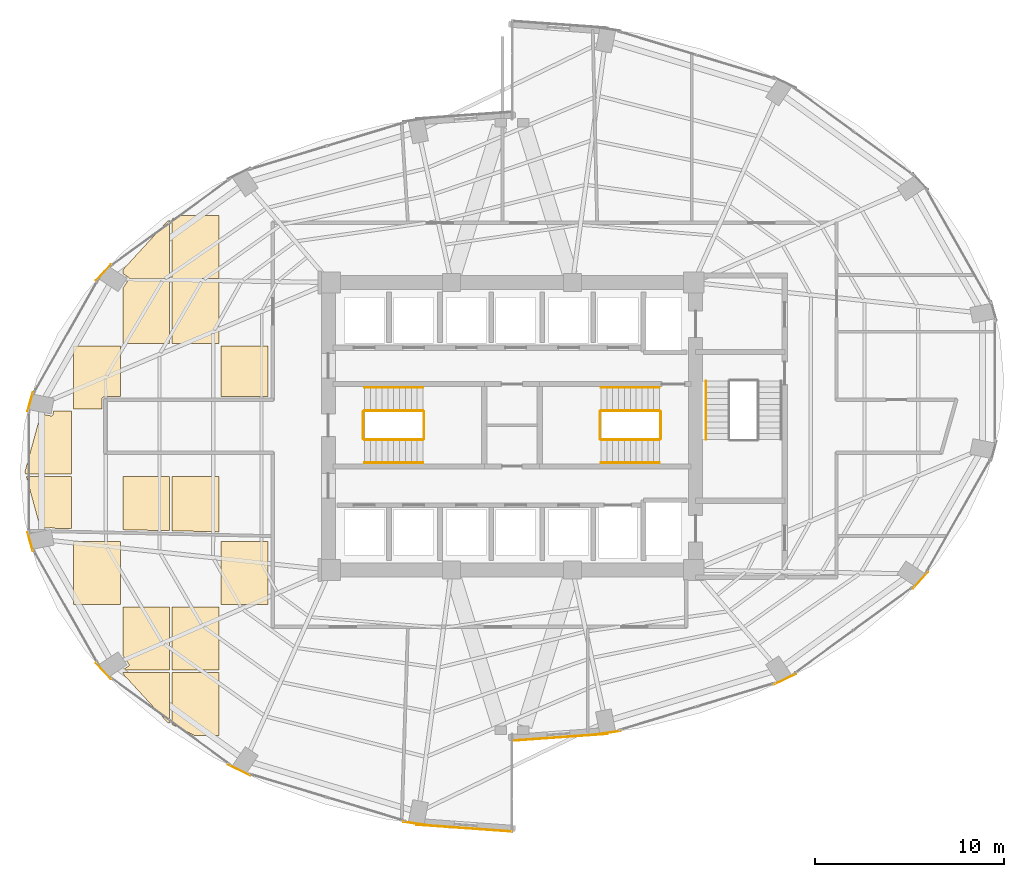
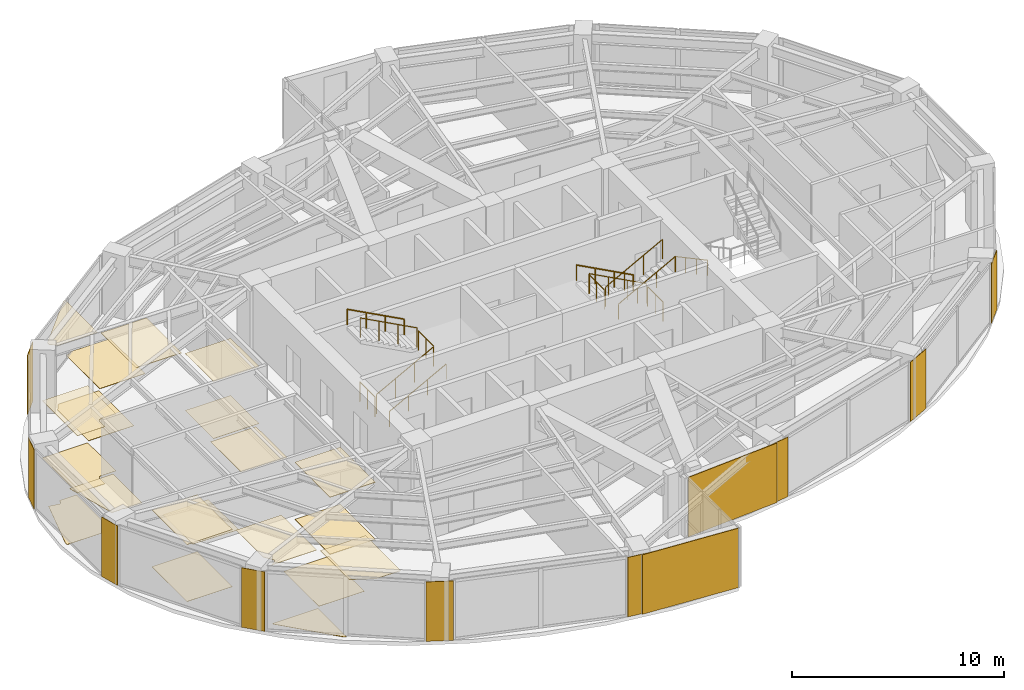
# One storey, part 23 of 24: 31 coverings, 13 railings.
"""IFC4 building model written with IfcOpenShell, lengths in metres."""

from ifc_helpers import new_model, si_unit, direction, frame, origin, origin_2d, place, context, subcontext, project, spatial, polyline, rectangle, circle, outline, extrude, material, layer, layer_set, type_object, element, save


model = new_model("IFC4")

# Units and contexts
model_context = context("Model", 3, precision=1e-05, world=origin(), true_north=direction((0.0, 1.0)))
body_context = subcontext(model_context, "Body", "Model", "MODEL_VIEW")
ifc_project = project(units=[si_unit("LENGTHUNIT", "METRE"), si_unit("AREAUNIT", "SQUARE_METRE"), si_unit("VOLUMEUNIT", "CUBIC_METRE"), si_unit("PLANEANGLEUNIT", "RADIAN"), si_unit("MASSUNIT", "GRAM", prefix="KILO")], contexts=[model_context])

# Site, building, storey
site_placement = place(None, origin())
site = spatial("IfcSite", under=ifc_project, at=site_placement, CompositionType="ELEMENT")
building_placement = place(site_placement, origin())
building = spatial("IfcBuilding", under=site, at=building_placement, Name="Lazwardi Medical Tower", CompositionType="ELEMENT")
storey_placement = place(building_placement, frame((0.0, 0.0, 103.632080078125)))
storey = spatial("IfcBuildingStorey", under=building, at=storey_placement, Name="L26", CompositionType="ELEMENT", Elevation=103.632080078125)

# Coverings
ifc_material_1 = material(Name="Anodised bronze aluminium cassette cladding", Category="aluminium")
ifc_layer_1 = layer(ifc_material_1, 0.030029296875)
ifc_layer_set_1 = layer_set([ifc_layer_1], Name="Anodised bronze aluminium cassette cladding")
covering_type_1 = type_object("IfcCoveringType", Name="COV-CLD-BRZ", PredefinedType="CLADDING", material=ifc_layer_set_1)
covering_1_placement = place(storey_placement, frame((41.064208984375, 11.80322265625, 0.0), z_axis=(0.0, 0.0, 1.0), x_axis=(0.989609019093, 0.143784523955, 0.0)))
element("IfcCovering", 1, at=covering_1_placement, inside=storey, type_object=covering_type_1, Name="L26 Mega-column bronze cassette cover M01", PredefinedType="CLADDING", context=body_context, shape_type="SweptSolid", body=[
    extrude(rectangle(XDim=1.392333984375, YDim=0.030029296875, at=origin_2d()), origin(), (0.0, 0.0, 1.0), 3.427978515625),
])
covering_2_placement = place(storey_placement, frame((50.421875, 14.634521484375, 0.0), z_axis=(0.0, 0.0, 1.0), x_axis=(0.898679250201, 0.438606435495, 0.0)))
element("IfcCovering", 2, at=covering_2_placement, inside=storey, type_object=covering_type_1, Name="L26 Mega-column bronze cassette cover M02", PredefinedType="CLADDING", context=body_context, shape_type="SweptSolid", body=[
    extrude(rectangle(XDim=1.2998046875, YDim=0.030029296875, at=origin_2d()), origin(), (0.0, 0.0, 1.0), 3.427978515625),
])
for number, where, z_axis, x_axis, name in (
    (3, (57.583740234375, 19.86572265625, 0.0), (0.0, 0.0, 1.0), (0.674925949214, 0.737885467453, 0.0), "L26 Mega-column bronze cassette cover M03"),
    (4, (14.416259765625, 36.13427734375, 0.0), (0.0, 0.0, 1.0), (-0.674925949214, -0.737885467453, 0.0), "L26 Mega-column bronze cassette cover M11"),
):
    element("IfcCovering", number, at=place(storey_placement, frame(where, z_axis=z_axis, x_axis=x_axis)), inside=storey, type_object=covering_type_1, Name=name, PredefinedType="CLADDING", context=body_context, shape_type="SweptSolid", body=[
        extrude(rectangle(XDim=1.15625, YDim=0.030029296875, at=origin_2d()), origin(), (0.0, 0.0, 1.0), 3.427978515625),
    ])
for number, where, z_axis, x_axis, name in (
    (5, (10.540283203125, 29.299072265625, 0.0), (0.0, 0.0, 1.0), (-0.262696108164, -0.964878621774, 0.0), "L26 Mega-column bronze cassette cover M12"),
    (6, (10.540283203125, 21.90087890625, 0.0), (0.0, 0.0, 1.0), (0.262696108164, -0.964878621774, 0.0), "L26 Mega-column bronze cassette cover M13"),
):
    element("IfcCovering", number, at=place(storey_placement, frame(where, z_axis=z_axis, x_axis=x_axis)), inside=storey, type_object=covering_type_1, Name=name, PredefinedType="CLADDING", context=body_context, shape_type="SweptSolid", body=[
        extrude(rectangle(XDim=1.04296875, YDim=0.030029296875, at=origin_2d()), origin(), (0.0, 0.0, 1.0), 3.427978515625),
    ])
covering_3_placement = place(storey_placement, frame((14.416259765625, 15.06591796875, 0.0), z_axis=(0.0, 0.0, 1.0), x_axis=(0.674925949214, -0.737885467453, 0.0)))
element("IfcCovering", 7, at=covering_3_placement, inside=storey, type_object=covering_type_1, Name="L26 Mega-column bronze cassette cover M14", PredefinedType="CLADDING", context=body_context, shape_type="SweptSolid", body=[
    extrude(rectangle(XDim=1.15625, YDim=0.030029296875, at=origin_2d()), origin(), (0.0, 0.0, 1.0), 3.427978515625),
])
covering_4_placement = place(storey_placement, frame((21.578125, 9.83447265625, 0.0), z_axis=(0.0, 0.0, 1.0), x_axis=(0.898679250201, -0.438606435495, 0.0)))
element("IfcCovering", 8, at=covering_4_placement, inside=storey, type_object=covering_type_1, Name="L26 Mega-column bronze cassette cover M15", PredefinedType="CLADDING", context=body_context, shape_type="SweptSolid", body=[
    extrude(rectangle(XDim=1.2998046875, YDim=0.030029296875, at=origin_2d()), origin(), (0.0, 0.0, 1.0), 3.427978515625),
])
covering_5_placement = place(storey_placement, frame((30.935791015625, 7.00341796875, 0.0), z_axis=(0.0, 0.0, 1.0), x_axis=(0.989609019093, -0.143784523955, 0.0)))
element("IfcCovering", 9, at=covering_5_placement, inside=storey, type_object=covering_type_1, Name="L26 Mega-column bronze cassette cover M16", PredefinedType="CLADDING", context=body_context, shape_type="SweptSolid", body=[
    extrude(rectangle(XDim=1.392333984375, YDim=0.030029296875, at=origin_2d()), origin(), (0.0, 0.0, 1.0), 3.427978515625),
])
ifc_material_2 = material(Name="Turquoise glazed ceramic tilework cladding", Category="masonry")
ifc_layer_2 = layer(ifc_material_2, 0.034912109375)
ifc_layer_set_2 = layer_set([ifc_layer_2], Name="Turquoise glazed ceramic tilework cladding")
covering_type_2 = type_object("IfcCoveringType", Name="COV-CLD-TRQ", PredefinedType="CLADDING", material=ifc_layer_set_2)
covering_6_placement = place(storey_placement, frame((38.533203125, 11.56591796875, 0.0), z_axis=(0.0, 0.0, 1.0), x_axis=(0.997431665415, 0.07162452672, 0.0)))
element("IfcCovering", 10, at=covering_6_placement, inside=storey, type_object=covering_type_2, Name="L26 Turquoise glazed ceramic tilework cladding", PredefinedType="CLADDING", context=body_context, shape_type="SweptSolid", body=[
    extrude(rectangle(XDim=5.05419921875, YDim=0.034912109375, at=origin_2d()), origin(), (0.0, 0.0, 1.0), 3.427978515625),
])
covering_7_placement = place(storey_placement, frame((33.466552734375, 6.76611328125, 0.0), z_axis=(0.0, 0.0, 1.0), x_axis=(0.997431165357, -0.071631490105, 0.0)))
element("IfcCovering", 11, at=covering_7_placement, inside=storey, type_object=covering_type_2, Name="L26 Turquoise glazed ceramic tilework cladding", PredefinedType="CLADDING", context=body_context, shape_type="SweptSolid", body=[
    extrude(rectangle(XDim=5.0537109375, YDim=0.034912109375, at=origin_2d()), origin(), (0.0, 0.0, 1.0), 3.427978515625),
])
ifc_material_3 = material(Name="Acoustic mineral fibre tile")
ifc_layer_3 = layer(ifc_material_3, 0.02490234375)
ifc_layer_set_3 = layer_set([ifc_layer_3], Name="Acoustic mineral fibre tile")
covering_type_3 = type_object("IfcCoveringType", Name="COV-CLG-01", PredefinedType="CEILING", material=ifc_layer_set_3)
covering_8_placement = place(storey_placement, frame((0.0, 0.0, 3.282958984375)))
element("IfcCovering", 12, at=covering_8_placement, inside=storey, type_object=covering_type_3, Name="L26 Clinical Acoustic Ceiling 1", PredefinedType="CEILING", context=body_context, shape_type="SweptSolid", body=[
    extrude(outline(polyline([(10.33056640625, 25.352294921875), (11.0732421875, 22.630859375), (11.49560546875, 22.62158203125), (11.643798828125, 22.651123046875), (11.6513671875, 22.652099609375), (11.6591796875, 22.652587890625), (11.6669921875, 22.652099609375), (11.6748046875, 22.651123046875), (11.682373046875, 22.649169921875), (11.689697265625, 22.646484375), (11.697021484375, 22.643310546875), (11.70361328125, 22.63916015625), (11.7099609375, 22.634521484375), (11.7158203125, 22.62939453125), (11.720947265625, 22.62353515625), (11.7255859375, 22.6171875), (11.72607421875, 22.61669921875), (12.712890625, 22.59521484375), (12.712890625, 25.352294921875), (10.33056640625, 25.352294921875)])), origin(), (0.0, 0.0, 1.0), 0.02490234375),
])
covering_9_placement = place(storey_placement, frame((0.0, 0.0, 3.282958984375)))
element("IfcCovering", 13, at=covering_9_placement, inside=storey, type_object=covering_type_3, Name="L26 Clinical Acoustic Ceiling 2", PredefinedType="CEILING", context=body_context, shape_type="SweptSolid", body=[
    extrude(outline(polyline([(15.31298828125, 18.572509765625), (15.31298828125, 21.90234375), (12.8330078125, 21.90234375), (12.8330078125, 18.572509765625), (15.31298828125, 18.572509765625)])), origin(), (0.0, 0.0, 1.0), 0.02490234375),
])
covering_10_placement = place(storey_placement, frame((0.0, 0.0, 3.282958984375)))
element("IfcCovering", 14, at=covering_10_placement, inside=storey, type_object=covering_type_3, Name="L26 Clinical Acoustic Ceiling 3", PredefinedType="CEILING", context=body_context, shape_type="SweptSolid", body=[
    extrude(outline(polyline([(14.324951171875, 28.92236328125), (14.324951171875, 29.39990234375), (14.3251953125, 29.404296875), (14.32568359375, 29.41357421875), (14.326416015625, 29.42041015625), (14.32763671875, 29.4296875), (14.3291015625, 29.43798828125), (14.33154296875, 29.447265625), (14.33349609375, 29.4541015625), (14.336669921875, 29.462890625), (14.340087890625, 29.470703125), (14.343994140625, 29.479248046875), (14.34765625, 29.486083984375), (14.352294921875, 29.493896484375), (14.35693359375, 29.500732421875), (14.362548828125, 29.50830078125), (14.3671875, 29.513916015625), (14.373291015625, 29.520751953125), (14.37939453125, 29.526611328125), (14.38623046875, 29.532958984375), (14.391845703125, 29.53759765625), (14.3994140625, 29.543212890625), (14.406005859375, 29.547607421875), (14.4140625, 29.552490234375), (14.4208984375, 29.555908203125), (14.42919921875, 29.56005859375), (14.43701171875, 29.563232421875), (14.44580078125, 29.56640625), (14.452880859375, 29.568603515625), (14.4619140625, 29.57080078125), (14.47021484375, 29.572509765625), (14.4794921875, 29.57373046875), (14.486328125, 29.574462890625), (14.49560546875, 29.574951171875), (14.5, 29.574951171875), (15.31298828125, 29.574951171875), (15.31298828125, 32.25244140625), (12.8330078125, 32.25244140625), (12.8330078125, 28.92236328125), (14.324951171875, 28.92236328125)])), origin(), (0.0, 0.0, 1.0), 0.02490234375),
])
covering_11_placement = place(storey_placement, frame((0.0, 0.0, 3.282958984375)))
element("IfcCovering", 15, at=covering_11_placement, inside=storey, type_object=covering_type_3, Name="L26 Clinical Acoustic Ceiling 4", PredefinedType="CEILING", context=body_context, shape_type="SweptSolid", body=[
    extrude(outline(polyline([(15.432861328125, 15.90087890625), (15.748779296875, 15.42822265625), (15.752685546875, 15.421630859375), (15.756103515625, 15.41455078125), (15.7587890625, 15.406982421875), (15.7607421875, 15.3994140625), (15.76171875, 15.3916015625), (15.76220703125, 15.3837890625), (15.76171875, 15.376220703125), (15.7607421875, 15.368408203125), (15.7587890625, 15.360595703125), (15.756103515625, 15.353271484375), (15.752685546875, 15.34619140625), (15.748779296875, 15.339599609375), (15.743896484375, 15.3330078125), (15.73876953125, 15.327392578125), (15.73291015625, 15.322021484375), (15.7265625, 15.3173828125), (15.434814453125, 15.122314453125), (17.912841796875, 15.122314453125), (17.912841796875, 18.452392578125), (15.432861328125, 18.452392578125), (15.432861328125, 15.90087890625)])), origin(), (0.0, 0.0, 1.0), 0.02490234375),
])
covering_12_placement = place(storey_placement, frame((0.0, 0.0, 3.282958984375)))
element("IfcCovering", 16, at=covering_12_placement, inside=storey, type_object=covering_type_3, Name="L26 Clinical Acoustic Ceiling 5", PredefinedType="CEILING", context=body_context, shape_type="SweptSolid", body=[
    extrude(outline(polyline([(17.912841796875, 38.901611328125), (17.791259765625, 38.84228515625), (15.432861328125, 36.27001953125), (15.432861328125, 36.078857421875), (15.7265625, 35.882568359375), (15.73291015625, 35.8779296875), (15.73876953125, 35.872802734375), (15.743896484375, 35.866943359375), (15.748779296875, 35.860595703125), (15.752685546875, 35.853759765625), (15.756103515625, 35.8466796875), (15.7587890625, 35.83935546875), (15.7607421875, 35.831787109375), (15.76171875, 35.823974609375), (15.761962890625, 35.822509765625), (17.912841796875, 35.822509765625), (17.912841796875, 38.901611328125)])), origin(), (0.0, 0.0, 1.0), 0.02490234375),
])
covering_13_placement = place(storey_placement, frame((0.0, 0.0, 3.282958984375)))
element("IfcCovering", 17, at=covering_13_placement, inside=storey, type_object=covering_type_3, Name="L26 Clinical Acoustic Ceiling 6", PredefinedType="CEILING", context=body_context, shape_type="SweptSolid", body=[
    extrude(outline(polyline([(18.032958984375, 12.23974609375), (19.197998046875, 11.67236328125), (20.512939453125, 11.67236328125), (20.512939453125, 15.00244140625), (18.032958984375, 15.00244140625), (18.032958984375, 12.23974609375)])), origin(), (0.0, 0.0, 1.0), 0.02490234375),
])
covering_14_placement = place(storey_placement, frame((0.0, 0.0, 3.282958984375)))
element("IfcCovering", 18, at=covering_14_placement, inside=storey, type_object=covering_type_3, Name="L26 Clinical Acoustic Ceiling 7", PredefinedType="CEILING", context=body_context, shape_type="SweptSolid", body=[
    extrude(outline(polyline([(18.032958984375, 22.47998046875), (20.512939453125, 22.42626953125), (20.512939453125, 25.352294921875), (18.032958984375, 25.352294921875), (18.032958984375, 22.47998046875)])), origin(), (0.0, 0.0, 1.0), 0.02490234375),
])
covering_15_placement = place(storey_placement, frame((0.0, 0.0, 3.282958984375)))
element("IfcCovering", 19, at=covering_15_placement, inside=storey, type_object=covering_type_3, Name="L26 Clinical Acoustic Ceiling 8", PredefinedType="CEILING", context=body_context, shape_type="SweptSolid", body=[
    extrude(outline(polyline([(20.512939453125, 32.372314453125), (20.512939453125, 35.702392578125), (18.032958984375, 35.702392578125), (18.032958984375, 32.372314453125), (20.512939453125, 32.372314453125)])), origin(), (0.0, 0.0, 1.0), 0.02490234375),
])
covering_16_placement = place(storey_placement, frame((0.0, 0.0, 3.282958984375)))
element("IfcCovering", 20, at=covering_16_placement, inside=storey, type_object=covering_type_3, Name="L26 Clinical Acoustic Ceiling 9", PredefinedType="CEILING", context=body_context, shape_type="SweptSolid", body=[
    extrude(outline(polyline([(23.11279296875, 18.572509765625), (23.11279296875, 21.90234375), (20.6328125, 21.90234375), (20.6328125, 18.572509765625), (23.11279296875, 18.572509765625)])), origin(), (0.0, 0.0, 1.0), 0.02490234375),
])
covering_17_placement = place(storey_placement, frame((0.0, 0.0, 3.282958984375)))
element("IfcCovering", 21, at=covering_17_placement, inside=storey, type_object=covering_type_3, Name="L26 Clinical Acoustic Ceiling 10", PredefinedType="CEILING", context=body_context, shape_type="SweptSolid", body=[
    extrude(outline(polyline([(20.6328125, 29.574951171875), (23.11279296875, 29.574951171875), (23.11279296875, 32.25244140625), (20.6328125, 32.25244140625), (20.6328125, 29.574951171875)])), origin(), (0.0, 0.0, 1.0), 0.02490234375),
])
ifc_material_4 = material(Name="Anti-static hospital vinyl sheet flooring")
ifc_layer_4 = layer(ifc_material_4, 0.014892578125)
ifc_layer_set_4 = layer_set([ifc_layer_4], Name="Anti-static hospital vinyl sheet flooring")
covering_type_4 = type_object("IfcCoveringType", Name="COV-FLR-01", PredefinedType="FLOORING", material=ifc_layer_set_4)
covering_18_placement = place(storey_placement, origin())
element("IfcCovering", 22, at=covering_18_placement, inside=storey, type_object=covering_type_4, Name="L26 Clinical Vinyl Flooring 1", PredefinedType="FLOORING", context=body_context, shape_type="SweptSolid", body=[
    extrude(outline(polyline([(11.775634765625, 28.802490234375), (11.73779296875, 28.61181640625), (11.73583984375, 28.604248046875), (11.733154296875, 28.5966796875), (11.72998046875, 28.589599609375), (11.725830078125, 28.5830078125), (11.72119140625, 28.57666015625), (11.7158203125, 28.57080078125), (11.710205078125, 28.565673828125), (11.70361328125, 28.560791015625), (11.697021484375, 28.556884765625), (11.68994140625, 28.553466796875), (11.6826171875, 28.55078125), (11.6748046875, 28.548828125), (11.6669921875, 28.5478515625), (11.6591796875, 28.54736328125), (11.651611328125, 28.5478515625), (11.643798828125, 28.548828125), (11.097412109375, 28.65771484375), (10.262939453125, 25.60009765625), (10.297607421875, 25.472412109375), (12.712890625, 25.472412109375), (12.712890625, 28.802490234375), (11.775634765625, 28.802490234375)])), origin(), (0.0, 0.0, 1.0), 0.014892578125),
])
covering_19_placement = place(storey_placement, origin())
element("IfcCovering", 23, at=covering_19_placement, inside=storey, type_object=covering_type_4, Name="L26 Clinical Vinyl Flooring 2", PredefinedType="FLOORING", context=body_context, shape_type="SweptSolid", body=[
    extrude(outline(polyline([(15.31298828125, 18.572509765625), (15.31298828125, 21.90234375), (12.8330078125, 21.90234375), (12.8330078125, 18.572509765625), (15.31298828125, 18.572509765625)])), origin(), (0.0, 0.0, 1.0), 0.014892578125),
])
covering_20_placement = place(storey_placement, origin())
element("IfcCovering", 24, at=covering_20_placement, inside=storey, type_object=covering_type_4, Name="L26 Clinical Vinyl Flooring 3", PredefinedType="FLOORING", context=body_context, shape_type="SweptSolid", body=[
    extrude(outline(polyline([(14.324951171875, 28.92236328125), (14.324951171875, 29.39990234375), (14.3251953125, 29.404296875), (14.32568359375, 29.41357421875), (14.326416015625, 29.42041015625), (14.32763671875, 29.4296875), (14.3291015625, 29.43798828125), (14.33154296875, 29.447265625), (14.33349609375, 29.4541015625), (14.336669921875, 29.462890625), (14.340087890625, 29.470703125), (14.343994140625, 29.479248046875), (14.34765625, 29.486083984375), (14.352294921875, 29.493896484375), (14.35693359375, 29.500732421875), (14.362548828125, 29.50830078125), (14.3671875, 29.513916015625), (14.373291015625, 29.520751953125), (14.37939453125, 29.526611328125), (14.38623046875, 29.532958984375), (14.391845703125, 29.53759765625), (14.3994140625, 29.543212890625), (14.406005859375, 29.547607421875), (14.4140625, 29.552490234375), (14.4208984375, 29.555908203125), (14.42919921875, 29.56005859375), (14.43701171875, 29.563232421875), (14.44580078125, 29.56640625), (14.452880859375, 29.568603515625), (14.4619140625, 29.57080078125), (14.47021484375, 29.572509765625), (14.4794921875, 29.57373046875), (14.486328125, 29.574462890625), (14.49560546875, 29.574951171875), (14.5, 29.574951171875), (15.31298828125, 29.574951171875), (15.31298828125, 32.25244140625), (12.8330078125, 32.25244140625), (12.8330078125, 28.92236328125), (14.324951171875, 28.92236328125)])), origin(), (0.0, 0.0, 1.0), 0.014892578125),
])
covering_21_placement = place(storey_placement, origin())
element("IfcCovering", 25, at=covering_21_placement, inside=storey, type_object=covering_type_4, Name="L26 Clinical Vinyl Flooring 4", PredefinedType="FLOORING", context=body_context, shape_type="SweptSolid", body=[
    extrude(outline(polyline([(15.432861328125, 14.93017578125), (17.791259765625, 12.357666015625), (17.912841796875, 12.29833984375), (17.912841796875, 15.00244140625), (15.432861328125, 15.00244140625), (15.432861328125, 14.93017578125)])), origin(), (0.0, 0.0, 1.0), 0.014892578125),
])
covering_22_placement = place(storey_placement, origin())
element("IfcCovering", 26, at=covering_22_placement, inside=storey, type_object=covering_type_4, Name="L26 Clinical Vinyl Flooring 5", PredefinedType="FLOORING", context=body_context, shape_type="SweptSolid", body=[
    extrude(outline(polyline([(15.432861328125, 22.536376953125), (17.912841796875, 22.482666015625), (17.912841796875, 25.352294921875), (15.432861328125, 25.352294921875), (15.432861328125, 22.536376953125)])), origin(), (0.0, 0.0, 1.0), 0.014892578125),
])
covering_23_placement = place(storey_placement, origin())
element("IfcCovering", 27, at=covering_23_placement, inside=storey, type_object=covering_type_4, Name="L26 Clinical Vinyl Flooring 6", PredefinedType="FLOORING", context=body_context, shape_type="SweptSolid", body=[
    extrude(outline(polyline([(15.702392578125, 35.702392578125), (15.432861328125, 35.299072265625), (15.432861328125, 32.372314453125), (17.912841796875, 32.372314453125), (17.912841796875, 35.702392578125), (15.702392578125, 35.702392578125)])), origin(), (0.0, 0.0, 1.0), 0.014892578125),
])
covering_24_placement = place(storey_placement, origin())
element("IfcCovering", 28, at=covering_24_placement, inside=storey, type_object=covering_type_4, Name="L26 Clinical Vinyl Flooring 7", PredefinedType="FLOORING", context=body_context, shape_type="SweptSolid", body=[
    extrude(outline(polyline([(20.512939453125, 15.122314453125), (20.512939453125, 18.452392578125), (18.032958984375, 18.452392578125), (18.032958984375, 15.122314453125), (20.512939453125, 15.122314453125)])), origin(), (0.0, 0.0, 1.0), 0.014892578125),
])
covering_25_placement = place(storey_placement, origin())
element("IfcCovering", 29, at=covering_25_placement, inside=storey, type_object=covering_type_4, Name="L26 Clinical Vinyl Flooring 8", PredefinedType="FLOORING", context=body_context, shape_type="SweptSolid", body=[
    extrude(outline(polyline([(18.427734375, 39.15234375), (18.032958984375, 38.960205078125), (18.032958984375, 35.822509765625), (20.512939453125, 35.822509765625), (20.512939453125, 39.15234375), (18.427734375, 39.15234375)])), origin(), (0.0, 0.0, 1.0), 0.014892578125),
])
covering_26_placement = place(storey_placement, origin())
element("IfcCovering", 30, at=covering_26_placement, inside=storey, type_object=covering_type_4, Name="L26 Clinical Vinyl Flooring 9", PredefinedType="FLOORING", context=body_context, shape_type="SweptSolid", body=[
    extrude(outline(polyline([(23.11279296875, 18.572509765625), (23.11279296875, 21.90234375), (20.6328125, 21.90234375), (20.6328125, 18.572509765625), (23.11279296875, 18.572509765625)])), origin(), (0.0, 0.0, 1.0), 0.014892578125),
])
covering_27_placement = place(storey_placement, origin())
element("IfcCovering", 31, at=covering_27_placement, inside=storey, type_object=covering_type_4, Name="L26 Clinical Vinyl Flooring 10", PredefinedType="FLOORING", context=body_context, shape_type="SweptSolid", body=[
    extrude(outline(polyline([(20.6328125, 29.574951171875), (23.11279296875, 29.574951171875), (23.11279296875, 32.25244140625), (20.6328125, 32.25244140625), (20.6328125, 29.574951171875)])), origin(), (0.0, 0.0, 1.0), 0.014892578125),
])

# Railings
ifc_material_5 = material(Name="Stainless steel Grade 316", Category="steel")
railing_type_1 = type_object("IfcRailingType", Name="RLG-GRD-1150", PredefinedType="GUARDRAIL", material=ifc_material_5)
railing_1_placement = place(storey_placement, frame((28.199951171875, 27.2900390625, 0.165771484375)))
element("IfcRailing", 32, at=railing_1_placement, inside=storey, type_object=railing_type_1, Name="L26 ST1 stair guard 1", PredefinedType="GUARDRAIL", context=body_context, shape_type="SweptSolid", body=[
    extrude(circle(Radius=0.02392578125, at=origin_2d()), frame((0.0, 0.0, 1.1259765625), z_axis=(0.881783298633, 0.0, 0.471654761719), x_axis=(0.0, 1.0, 0.0)), (0.0, 0.0, 1.0), 3.515625),
    extrude(circle(Radius=0.02099609375, at=origin_2d()), origin(), (0.0, 0.0, 1.0), 1.099853515625),
    extrude(circle(Radius=0.02099609375, at=origin_2d()), frame((1.033447265625, 0.0, 0.552734375)), (0.0, 0.0, 1.0), 1.099853515625),
    extrude(circle(Radius=0.02099609375, at=origin_2d()), frame((2.066650390625, 0.0, 1.10546875)), (0.0, 0.0, 1.0), 1.099853515625),
    extrude(circle(Radius=0.02099609375, at=origin_2d()), frame((3.10009765625, 0.0, 1.658203125)), (0.0, 0.0, 1.0), 1.099853515625),
])
railing_2_placement = place(storey_placement, frame((31.35009765625, 27.340087890625, 1.823974609375)))
element("IfcRailing", 33, at=railing_2_placement, inside=storey, type_object=railing_type_1, Name="L26 ST1 stair guard 2", PredefinedType="GUARDRAIL", context=body_context, shape_type="SweptSolid", body=[
    extrude(circle(Radius=0.02392578125, at=origin_2d()), frame((0.0, 0.0, 1.1259765625), z_axis=(0.0, 1.0, 0.0), x_axis=(-1.0, 0.0, 0.0)), (0.0, 0.0, 1.0), 1.43994140625),
    extrude(circle(Radius=0.02099609375, at=origin_2d()), origin(), (0.0, 0.0, 1.0), 1.099853515625),
    extrude(circle(Radius=0.02099609375, at=origin_2d()), frame((0.0, 0.719970703125, 0.0)), (0.0, 0.0, 1.0), 1.099853515625),
    extrude(circle(Radius=0.02099609375, at=origin_2d()), frame((0.0, 1.43994140625, 0.0)), (0.0, 0.0, 1.0), 1.099853515625),
])
railing_3_placement = place(storey_placement, frame((31.300048828125, 28.830078125, 1.98974609375)))
element("IfcRailing", 34, at=railing_3_placement, inside=storey, type_object=railing_type_1, Name="L26 ST1 stair guard 3", PredefinedType="GUARDRAIL", context=body_context, shape_type="SweptSolid", body=[
    extrude(circle(Radius=0.02392578125, at=origin_2d()), frame((0.0, 0.0, 1.1259765625), z_axis=(-0.881783298633, 0.0, 0.471654761719), x_axis=(0.0, -1.0, 0.0)), (0.0, 0.0, 1.0), 3.515625),
    extrude(circle(Radius=0.02099609375, at=origin_2d()), origin(), (0.0, 0.0, 1.0), 1.099853515625),
    extrude(circle(Radius=0.02099609375, at=origin_2d()), frame((-1.033447265625, 0.0, 0.552734375)), (0.0, 0.0, 1.0), 1.099853515625),
    extrude(circle(Radius=0.02099609375, at=origin_2d()), frame((-2.066650390625, 0.0, 1.10546875)), (0.0, 0.0, 1.0), 1.099853515625),
    extrude(circle(Radius=0.02099609375, at=origin_2d()), frame((-3.10009765625, 0.0, 1.658203125)), (0.0, 0.0, 1.0), 1.099853515625),
])
railing_4_placement = place(storey_placement, frame((28.14990234375, 27.340087890625, 0.0)))
element("IfcRailing", 35, at=railing_4_placement, inside=storey, type_object=railing_type_1, Name="L26 ST1 stair guard 4", PredefinedType="GUARDRAIL", context=body_context, shape_type="SweptSolid", body=[
    extrude(circle(Radius=0.02392578125, at=origin_2d()), frame((0.0, 0.0, 1.1259765625), z_axis=(0.0, 1.0, 0.0), x_axis=(-1.0, 0.0, 0.0)), (0.0, 0.0, 1.0), 1.43994140625),
    extrude(circle(Radius=0.02099609375, at=origin_2d()), origin(), (0.0, 0.0, 1.0), 1.099853515625),
    extrude(circle(Radius=0.02099609375, at=origin_2d()), frame((0.0, 0.719970703125, 0.0)), (0.0, 0.0, 1.0), 1.099853515625),
    extrude(circle(Radius=0.02099609375, at=origin_2d()), frame((0.0, 1.43994140625, 0.0)), (0.0, 0.0, 1.0), 1.099853515625),
])
railing_5_placement = place(storey_placement, frame((43.800048828125, 28.830078125, 0.165771484375)))
element("IfcRailing", 36, at=railing_5_placement, inside=storey, type_object=railing_type_1, Name="L26 ST2 stair guard 1", PredefinedType="GUARDRAIL", context=body_context, shape_type="SweptSolid", body=[
    extrude(circle(Radius=0.02392578125, at=origin_2d()), frame((0.0, 0.0, 1.1259765625), z_axis=(-0.881783298633, 0.0, 0.471654761719), x_axis=(0.0, -1.0, 0.0)), (0.0, 0.0, 1.0), 3.515625),
    extrude(circle(Radius=0.02099609375, at=origin_2d()), origin(), (0.0, 0.0, 1.0), 1.099853515625),
    extrude(circle(Radius=0.02099609375, at=origin_2d()), frame((-1.033447265625, 0.0, 0.552734375)), (0.0, 0.0, 1.0), 1.099853515625),
    extrude(circle(Radius=0.02099609375, at=origin_2d()), frame((-2.066650390625, 0.0, 1.10546875)), (0.0, 0.0, 1.0), 1.099853515625),
    extrude(circle(Radius=0.02099609375, at=origin_2d()), frame((-3.10009765625, 0.0, 1.658203125)), (0.0, 0.0, 1.0), 1.099853515625),
])
railing_6_placement = place(storey_placement, frame((40.64990234375, 28.780029296875, 1.823974609375)))
element("IfcRailing", 37, at=railing_6_placement, inside=storey, type_object=railing_type_1, Name="L26 ST2 stair guard 2", PredefinedType="GUARDRAIL", context=body_context, shape_type="SweptSolid", body=[
    extrude(circle(Radius=0.02392578125, at=origin_2d()), frame((0.0, 0.0, 1.1259765625), z_axis=(0.0, -1.0, 0.0), x_axis=(1.0, 0.0, 0.0)), (0.0, 0.0, 1.0), 1.43994140625),
    extrude(circle(Radius=0.02099609375, at=origin_2d()), origin(), (0.0, 0.0, 1.0), 1.099853515625),
    extrude(circle(Radius=0.02099609375, at=origin_2d()), frame((0.0, -0.719970703125, 0.0)), (0.0, 0.0, 1.0), 1.099853515625),
    extrude(circle(Radius=0.02099609375, at=origin_2d()), frame((0.0, -1.43994140625, 0.0)), (0.0, 0.0, 1.0), 1.099853515625),
])
railing_7_placement = place(storey_placement, frame((40.699951171875, 27.2900390625, 1.98974609375)))
element("IfcRailing", 38, at=railing_7_placement, inside=storey, type_object=railing_type_1, Name="L26 ST2 stair guard 3", PredefinedType="GUARDRAIL", context=body_context, shape_type="SweptSolid", body=[
    extrude(circle(Radius=0.02392578125, at=origin_2d()), frame((0.0, 0.0, 1.1259765625), z_axis=(0.881783298633, 0.0, 0.471654761719), x_axis=(0.0, 1.0, 0.0)), (0.0, 0.0, 1.0), 3.515625),
    extrude(circle(Radius=0.02099609375, at=origin_2d()), origin(), (0.0, 0.0, 1.0), 1.099853515625),
    extrude(circle(Radius=0.02099609375, at=origin_2d()), frame((1.033447265625, 0.0, 0.552734375)), (0.0, 0.0, 1.0), 1.099853515625),
    extrude(circle(Radius=0.02099609375, at=origin_2d()), frame((2.066650390625, 0.0, 1.10546875)), (0.0, 0.0, 1.0), 1.099853515625),
    extrude(circle(Radius=0.02099609375, at=origin_2d()), frame((3.10009765625, 0.0, 1.658203125)), (0.0, 0.0, 1.0), 1.099853515625),
])
railing_8_placement = place(storey_placement, frame((43.85009765625, 28.780029296875, 0.0)))
element("IfcRailing", 39, at=railing_8_placement, inside=storey, type_object=railing_type_1, Name="L26 ST2 stair guard 4", PredefinedType="GUARDRAIL", context=body_context, shape_type="SweptSolid", body=[
    extrude(circle(Radius=0.02392578125, at=origin_2d()), frame((0.0, 0.0, 1.1259765625), z_axis=(0.0, -1.0, 0.0), x_axis=(1.0, 0.0, 0.0)), (0.0, 0.0, 1.0), 1.43994140625),
    extrude(circle(Radius=0.02099609375, at=origin_2d()), origin(), (0.0, 0.0, 1.0), 1.099853515625),
    extrude(circle(Radius=0.02099609375, at=origin_2d()), frame((0.0, -0.719970703125, 0.0)), (0.0, 0.0, 1.0), 1.099853515625),
    extrude(circle(Radius=0.02099609375, at=origin_2d()), frame((0.0, -1.43994140625, 0.0)), (0.0, 0.0, 1.0), 1.099853515625),
])
railing_type_2 = type_object("IfcRailingType", Name="RLG-HND-920", PredefinedType="HANDRAIL", material=ifc_material_5)
railing_9_placement = place(storey_placement, frame((28.199951171875, 26.070068359375, 0.165771484375)))
element("IfcRailing", 40, at=railing_9_placement, inside=storey, type_object=railing_type_2, Name="L26 ST1 stair handrail 1", PredefinedType="HANDRAIL", context=body_context, shape_type="SweptSolid", body=[
    extrude(circle(Radius=0.02392578125, at=origin_2d()), frame((0.0, 0.0, 0.8857421875), z_axis=(0.881783298633, 0.0, 0.471654761719), x_axis=(0.0, 1.0, 0.0)), (0.0, 0.0, 1.0), 3.515625),
    extrude(circle(Radius=0.02099609375, at=origin_2d()), origin(), (0.0, 0.0, 1.0), 0.85986328125),
    extrude(circle(Radius=0.02099609375, at=origin_2d()), frame((1.033447265625, 0.0, 0.552734375)), (0.0, 0.0, 1.0), 0.85986328125),
    extrude(circle(Radius=0.02099609375, at=origin_2d()), frame((2.066650390625, 0.0, 1.10546875)), (0.0, 0.0, 1.0), 0.85986328125),
    extrude(circle(Radius=0.02099609375, at=origin_2d()), frame((3.10009765625, 0.0, 1.658203125)), (0.0, 0.0, 1.0), 0.85986328125),
])
for number, where, name in (
    (41, (31.300048828125, 30.050048828125, 1.98974609375), "L26 ST1 stair handrail 2"),
    (42, (43.800048828125, 30.050048828125, 0.165771484375), "L26 ST2 stair handrail 1"),
):
    element("IfcRailing", number, at=place(storey_placement, frame(where)), inside=storey, type_object=railing_type_2, Name=name, PredefinedType="HANDRAIL", context=body_context, shape_type="SweptSolid", body=[
        extrude(circle(Radius=0.02392578125, at=origin_2d()), frame((0.0, 0.0, 0.8857421875), z_axis=(-0.881783298633, 0.0, 0.471654761719), x_axis=(0.0, -1.0, 0.0)), (0.0, 0.0, 1.0), 3.515625),
        extrude(circle(Radius=0.02099609375, at=origin_2d()), origin(), (0.0, 0.0, 1.0), 0.85986328125),
        extrude(circle(Radius=0.02099609375, at=origin_2d()), frame((-1.033447265625, 0.0, 0.552734375)), (0.0, 0.0, 1.0), 0.85986328125),
        extrude(circle(Radius=0.02099609375, at=origin_2d()), frame((-2.066650390625, 0.0, 1.10546875)), (0.0, 0.0, 1.0), 0.85986328125),
        extrude(circle(Radius=0.02099609375, at=origin_2d()), frame((-3.10009765625, 0.0, 1.658203125)), (0.0, 0.0, 1.0), 0.85986328125),
    ])
railing_10_placement = place(storey_placement, frame((40.699951171875, 26.070068359375, 1.98974609375)))
element("IfcRailing", 43, at=railing_10_placement, inside=storey, type_object=railing_type_2, Name="L26 ST2 stair handrail 2", PredefinedType="HANDRAIL", context=body_context, shape_type="SweptSolid", body=[
    extrude(circle(Radius=0.02392578125, at=origin_2d()), frame((0.0, 0.0, 0.8857421875), z_axis=(0.881783298633, 0.0, 0.471654761719), x_axis=(0.0, 1.0, 0.0)), (0.0, 0.0, 1.0), 3.515625),
    extrude(circle(Radius=0.02099609375, at=origin_2d()), origin(), (0.0, 0.0, 1.0), 0.85986328125),
    extrude(circle(Radius=0.02099609375, at=origin_2d()), frame((1.033447265625, 0.0, 0.552734375)), (0.0, 0.0, 1.0), 0.85986328125),
    extrude(circle(Radius=0.02099609375, at=origin_2d()), frame((2.066650390625, 0.0, 1.10546875)), (0.0, 0.0, 1.0), 0.85986328125),
    extrude(circle(Radius=0.02099609375, at=origin_2d()), frame((3.10009765625, 0.0, 1.658203125)), (0.0, 0.0, 1.0), 0.85986328125),
])
railing_11_placement = place(storey_placement, frame((46.25, 30.39990234375, 0.165771484375)))
element("IfcRailing", 44, at=railing_11_placement, inside=storey, type_object=railing_type_2, Name="L26 ST3 stair handrail 1", PredefinedType="HANDRAIL", context=body_context, shape_type="SweptSolid", body=[
    extrude(circle(Radius=0.02392578125, at=origin_2d()), frame((0.0, 0.0, 0.8857421875), z_axis=(0.0, -0.881767849116, 0.471683644262), x_axis=(1.0, 0.0, 0.0)), (0.0, 0.0, 1.0), 3.515380859375),
    extrude(circle(Radius=0.02099609375, at=origin_2d()), origin(), (0.0, 0.0, 1.0), 0.85986328125),
    extrude(circle(Radius=0.02099609375, at=origin_2d()), frame((0.0, -1.033203125, 0.552734375)), (0.0, 0.0, 1.0), 0.85986328125),
    extrude(circle(Radius=0.02099609375, at=origin_2d()), frame((0.0, -2.066650390625, 1.10546875)), (0.0, 0.0, 1.0), 0.85986328125),
    extrude(circle(Radius=0.02099609375, at=origin_2d()), frame((0.0, -3.099853515625, 1.658203125)), (0.0, 0.0, 1.0), 0.85986328125),
])

save(model, "model.ifc")
